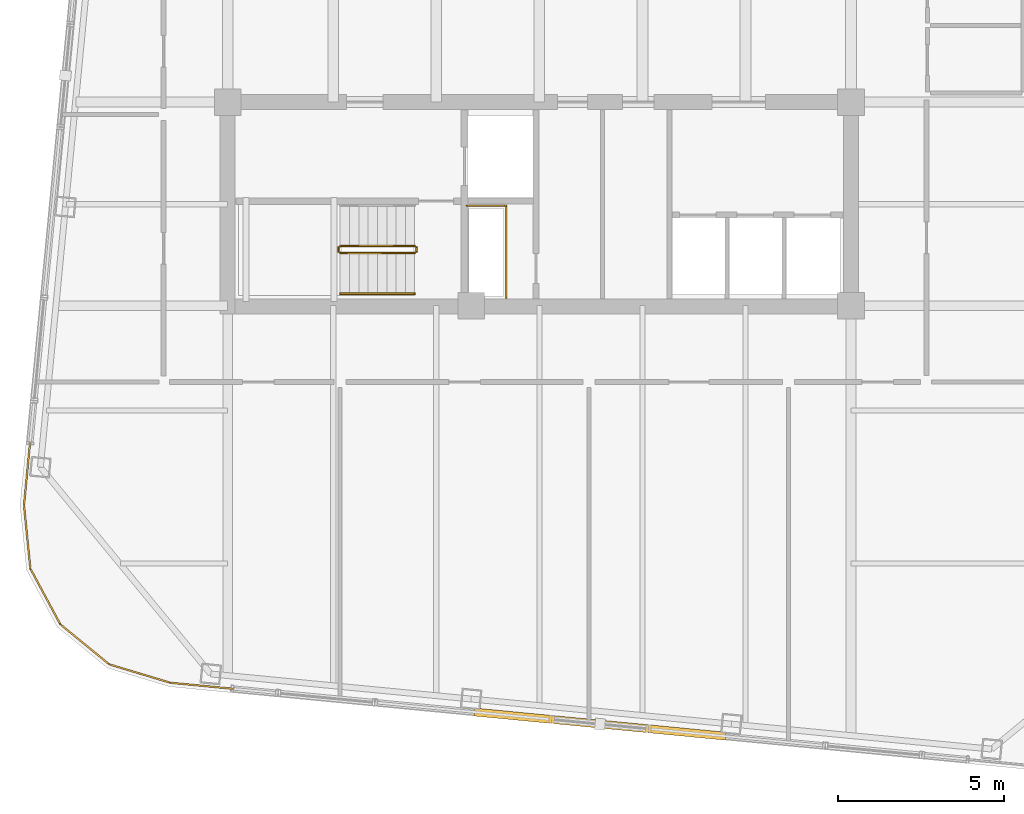
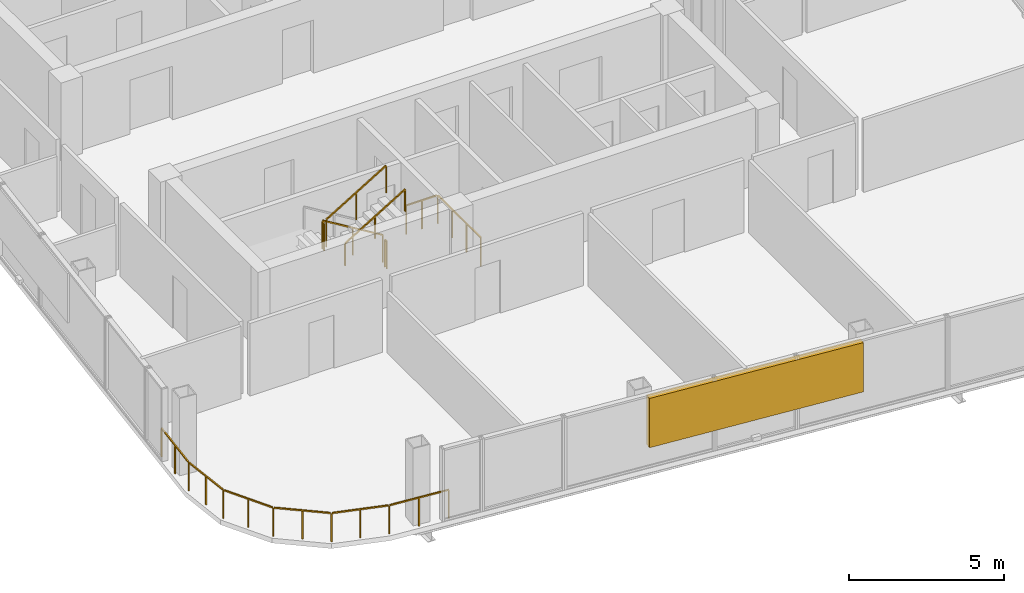
# One storey, part 20 of 23: 7 railings, 1 shading device.
"""IFC4 building model written with IfcOpenShell, lengths in metres."""

from ifc_helpers import new_model, si_unit, direction, frame, origin, origin_2d, place, context, subcontext, project, spatial, rectangle, extrude, material, type_object, element, save


model = new_model("IFC4")

# Units and contexts
model_context = context("Model", 3, precision=1e-05, world=origin(), true_north=direction((0.0, 1.0)))
body_context = subcontext(model_context, "Body", "Model", "MODEL_VIEW")
ifc_project = project(units=[si_unit("LENGTHUNIT", "METRE"), si_unit("AREAUNIT", "SQUARE_METRE"), si_unit("VOLUMEUNIT", "CUBIC_METRE"), si_unit("PLANEANGLEUNIT", "RADIAN"), si_unit("MASSUNIT", "GRAM", prefix="KILO")], contexts=[model_context])

# Site, building, storey
site_placement = place(None, origin())
site = spatial("IfcSite", under=ifc_project, at=site_placement, CompositionType="ELEMENT")
building_placement = place(site_placement, origin())
building = spatial("IfcBuilding", under=site, at=building_placement, Name="Qhalaya Broadcast Tower", CompositionType="ELEMENT")
storey_placement = place(building_placement, frame((0.0, 0.0, 261.14990234375)))
storey = spatial("IfcBuildingStorey", under=building, at=storey_placement, Name="L77", CompositionType="ELEMENT", Elevation=261.14990234375)

# Railings
ifc_material_1 = material(Name="Powder-Coated Galvanised Steel", Category="steel")
railing_type_1 = type_object("IfcRailingType", Name="Stair Wall Handrail 900", PredefinedType="HANDRAIL", material=ifc_material_1)
railing_1_placement = place(storey_placement, frame((-5.989990234375, -8.389892578125, 1.694580078125)))
element("IfcRailing", 1, at=railing_1_placement, inside=storey, type_object=railing_type_1, Name="L77 ST-2 Stair Handrail 2", PredefinedType="HANDRAIL", context=body_context, shape_type="SweptSolid", body=[
    extrude(rectangle(XDim=0.048095703125, YDim=0.048095703125, at=origin_2d()), frame((0.0, 0.0, 0.8759765625), z_axis=(0.855553338991, 0.0, 0.51771467445), x_axis=(0.0, 1.0, 0.0)), (0.0, 0.0, 1.0), 2.6181640625),
    extrude(rectangle(XDim=0.0419921875, YDim=0.0419921875, at=origin_2d()), origin(), (0.0, 0.0, 1.0), 0.849853515625),
    extrude(rectangle(XDim=0.0419921875, YDim=0.0419921875, at=origin_2d()), frame((1.1201171875, 0.0, 0.677734375)), (0.0, 0.0, 1.0), 0.849853515625),
    extrude(rectangle(XDim=0.0419921875, YDim=0.0419921875, at=origin_2d()), frame((2.239990234375, 0.0, 1.35546875)), (0.0, 0.0, 1.0), 0.849853515625),
])
railing_type_2 = type_object("IfcRailingType", Name="Stair Well & Landing Guardrail 1100", PredefinedType="GUARDRAIL", material=ifc_material_1)
railing_2_placement = place(storey_placement, frame((-1.0, -8.52001953125, 0.0)))
element("IfcRailing", 2, at=railing_2_placement, inside=storey, type_object=railing_type_2, Name="L77 Service Riser Opening Safety Guard SRSR", PredefinedType="GUARDRAIL", context=body_context, shape_type="SweptSolid", body=[
    extrude(rectangle(XDim=0.048095703125, YDim=0.048095703125, at=origin_2d()), frame((0.0, 0.0, 1.1259765625), z_axis=(0.0, 1.0, 0.0), x_axis=(-1.0, 0.0, 0.0)), (0.0, 0.0, 1.0), 2.751220703125),
    extrude(rectangle(XDim=0.048095703125, YDim=0.048095703125, at=origin_2d()), frame((-0.02880859375, 2.780029296875, 1.1259765625), z_axis=(-1.0, 0.0, 0.0), x_axis=(0.0, -1.0, 0.0)), (0.0, 0.0, 1.0), 1.151123046875),
    extrude(rectangle(XDim=0.0419921875, YDim=0.0419921875, at=origin_2d()), origin(), (0.0, 0.0, 1.0), 1.099853515625),
    extrude(rectangle(XDim=0.0419921875, YDim=0.0419921875, at=origin_2d()), frame((0.0, 0.9267578125, 0.0)), (0.0, 0.0, 1.0), 1.099853515625),
    extrude(rectangle(XDim=0.0419921875, YDim=0.0419921875, at=origin_2d()), frame((0.0, 1.853271484375, 0.0)), (0.0, 0.0, 1.0), 1.099853515625),
    extrude(rectangle(XDim=0.0419921875, YDim=0.0419921875, at=origin_2d()), frame((0.0, 2.780029296875, 0.0)), (0.0, 0.0, 1.0), 1.099853515625),
    extrude(rectangle(XDim=0.0419921875, YDim=0.0419921875, at=origin_2d()), frame((-0.58984375, 2.780029296875, 0.0)), (0.0, 0.0, 1.0), 1.099853515625),
    extrude(rectangle(XDim=0.0419921875, YDim=0.0419921875, at=origin_2d()), frame((-1.179931640625, 2.780029296875, 0.0)), (0.0, 0.0, 1.0), 1.099853515625),
])
railing_3_placement = place(storey_placement, frame((-3.75, -6.949951171875, 0.16943359375)))
element("IfcRailing", 3, at=railing_3_placement, inside=storey, type_object=railing_type_2, Name="L77 ST-2 Stair Guard 1", PredefinedType="GUARDRAIL", context=body_context, shape_type="SweptSolid", body=[
    extrude(rectangle(XDim=0.048095703125, YDim=0.048095703125, at=origin_2d()), frame((0.0, 0.0, 1.076171875), z_axis=(-0.855512035549, 0.0, 0.517782924622), x_axis=(0.0, -1.0, 0.0)), (0.0, 0.0, 1.0), 2.618408203125),
    extrude(rectangle(XDim=0.0419921875, YDim=0.0419921875, at=origin_2d()), origin(), (0.0, 0.0, 1.0), 1.050048828125),
    extrude(rectangle(XDim=0.0419921875, YDim=0.0419921875, at=origin_2d()), frame((-1.1201171875, 0.0, 0.677734375)), (0.0, 0.0, 1.0), 1.050048828125),
    extrude(rectangle(XDim=0.0419921875, YDim=0.0419921875, at=origin_2d()), frame((-2.239990234375, 0.0, 1.355712890625)), (0.0, 0.0, 1.0), 1.050048828125),
])
railing_4_placement = place(storey_placement, frame((-6.0400390625, -7.0, 1.525146484375)))
element("IfcRailing", 4, at=railing_4_placement, inside=storey, type_object=railing_type_2, Name="L77 ST-2 Stair Guard 2", PredefinedType="GUARDRAIL", context=body_context, shape_type="SweptSolid", body=[
    extrude(rectangle(XDim=0.048095703125, YDim=0.048095703125, at=origin_2d()), frame((0.0, 0.0, 1.076171875), z_axis=(0.0, -1.0, 0.0), x_axis=(1.0, 0.0, 0.0)), (0.0, 0.0, 1.0), 0.1201171875),
    extrude(rectangle(XDim=0.0419921875, YDim=0.0419921875, at=origin_2d()), origin(), (0.0, 0.0, 1.0), 1.050048828125),
    extrude(rectangle(XDim=0.0419921875, YDim=0.0419921875, at=origin_2d()), frame((0.0, -0.1201171875, 0.0)), (0.0, 0.0, 1.0), 1.050048828125),
])
railing_5_placement = place(storey_placement, frame((-5.989990234375, -7.169921875, 1.694580078125)))
element("IfcRailing", 5, at=railing_5_placement, inside=storey, type_object=railing_type_2, Name="L77 ST-2 Stair Guard 3", PredefinedType="GUARDRAIL", context=body_context, shape_type="SweptSolid", body=[
    extrude(rectangle(XDim=0.048095703125, YDim=0.048095703125, at=origin_2d()), frame((0.0, 0.0, 1.076171875), z_axis=(0.855553338991, 0.0, 0.51771467445), x_axis=(0.0, 1.0, 0.0)), (0.0, 0.0, 1.0), 2.6181640625),
    extrude(rectangle(XDim=0.0419921875, YDim=0.0419921875, at=origin_2d()), origin(), (0.0, 0.0, 1.0), 1.050048828125),
    extrude(rectangle(XDim=0.0419921875, YDim=0.0419921875, at=origin_2d()), frame((1.1201171875, 0.0, 0.677734375)), (0.0, 0.0, 1.0), 1.050048828125),
    extrude(rectangle(XDim=0.0419921875, YDim=0.0419921875, at=origin_2d()), frame((2.239990234375, 0.0, 1.35546875)), (0.0, 0.0, 1.0), 1.050048828125),
])
railing_6_placement = place(storey_placement, frame((-3.699951171875, -7.0, 0.0)))
element("IfcRailing", 6, at=railing_6_placement, inside=storey, type_object=railing_type_2, Name="L77 ST-2 Stair Guard 4", PredefinedType="GUARDRAIL", context=body_context, shape_type="SweptSolid", body=[
    extrude(rectangle(XDim=0.048095703125, YDim=0.048095703125, at=origin_2d()), frame((0.0, 0.0, 1.076171875), z_axis=(0.0, -1.0, 0.0), x_axis=(1.0, 0.0, 0.0)), (0.0, 0.0, 1.0), 0.1201171875),
    extrude(rectangle(XDim=0.0419921875, YDim=0.0419921875, at=origin_2d()), origin(), (0.0, 0.0, 1.0), 1.050048828125),
    extrude(rectangle(XDim=0.0419921875, YDim=0.0419921875, at=origin_2d()), frame((0.0, -0.1201171875, 0.0)), (0.0, 0.0, 1.0), 1.050048828125),
])
railing_type_3 = type_object("IfcRailingType", Name="Terrace, Sky-Pool & Lookout Glass Balustrade 1150", PredefinedType="BALUSTRADE", material=ifc_material_1)
railing_7_placement = place(storey_placement, frame((-8.99365234375, -20.2958984375, 0.0)))
element("IfcRailing", 7, at=railing_7_placement, inside=storey, type_object=railing_type_3, Name="L77 Rounded Corner Perimeter Guard 02", PredefinedType="BALUSTRADE", context=body_context, shape_type="SweptSolid", body=[
    extrude(rectangle(XDim=0.048095703125, YDim=0.048095703125, at=origin_2d()), frame((0.0, 0.0, 1.1259765625), z_axis=(-0.995391273094, 0.095896889673, 0.0), x_axis=(-0.095896889673, -0.995391273094, 0.0)), (0.0, 0.0, 1.0), 2.08935546875),
    extrude(rectangle(XDim=0.048095703125, YDim=0.048095703125, at=origin_2d()), frame((-2.135986328125, 0.21142578125, 1.1259765625), z_axis=(-0.957601447485, 0.288096282124, 0.0), x_axis=(-0.288096282124, -0.957601447485, 0.0)), (0.0, 0.0, 1.0), 1.857421875),
    extrude(rectangle(XDim=0.048095703125, YDim=0.048095703125, at=origin_2d()), frame((-3.96484375, 0.773193359375, 1.1259765625), z_axis=(-0.774357190213, 0.63274871945, 0.0), x_axis=(-0.63274871945, -0.774357190213, 0.0)), (0.0, 0.0, 1.0), 1.845703125),
    extrude(rectangle(XDim=0.048095703125, YDim=0.048095703125, at=origin_2d()), frame((-5.429931640625, 1.984619140625, 1.1259765625), z_axis=(-0.473342342286, 0.880878554058, 0.0), x_axis=(-0.880878554058, -0.473342342286, 0.0)), (0.0, 0.0, 1.0), 1.845458984375),
    extrude(rectangle(XDim=0.048095703125, YDim=0.048095703125, at=origin_2d()), frame((-6.320068359375, 3.66455078125, 1.1259765625), z_axis=(-0.100071682341, 0.994980230152, 0.0), x_axis=(-0.994980230152, -0.100071682341, 0.0)), (0.0, 0.0, 1.0), 1.857421875),
    extrude(rectangle(XDim=0.048095703125, YDim=0.048095703125, at=origin_2d()), frame((-6.506103515625, 5.570068359375, 1.1259765625), z_axis=(0.095782687057, 0.995402268864, 0.0), x_axis=(-0.995402268864, 0.095782687057, 0.0)), (0.0, 0.0, 1.0), 2.08935546875),
    extrude(rectangle(XDim=0.0419921875, YDim=0.0419921875, at=origin_2d()), origin(), (0.0, 0.0, 1.0), 1.099853515625),
    extrude(rectangle(XDim=0.0419921875, YDim=0.0419921875, at=origin_2d()), frame((-1.05419921875, 0.1015625, 0.0)), (0.0, 0.0, 1.0), 1.099853515625),
    extrude(rectangle(XDim=0.0419921875, YDim=0.0419921875, at=origin_2d()), frame((-2.1083984375, 0.203125, 0.0)), (0.0, 0.0, 1.0), 1.099853515625),
    extrude(rectangle(XDim=0.0419921875, YDim=0.0419921875, at=origin_2d()), frame((-3.025390625, 0.47900390625, 0.0)), (0.0, 0.0, 1.0), 1.099853515625),
    extrude(rectangle(XDim=0.0419921875, YDim=0.0419921875, at=origin_2d()), frame((-3.9423828125, 0.7548828125, 0.0)), (0.0, 0.0, 1.0), 1.099853515625),
    extrude(rectangle(XDim=0.0419921875, YDim=0.0419921875, at=origin_2d()), frame((-4.67919921875, 1.35693359375, 0.0)), (0.0, 0.0, 1.0), 1.099853515625),
    extrude(rectangle(XDim=0.0419921875, YDim=0.0419921875, at=origin_2d()), frame((-5.416259765625, 1.959228515625, 0.0)), (0.0, 0.0, 1.0), 1.099853515625),
    extrude(rectangle(XDim=0.0419921875, YDim=0.0419921875, at=origin_2d()), frame((-5.86669921875, 2.79736328125, 0.0)), (0.0, 0.0, 1.0), 1.099853515625),
    extrude(rectangle(XDim=0.0419921875, YDim=0.0419921875, at=origin_2d()), frame((-6.317138671875, 3.6357421875, 0.0)), (0.0, 0.0, 1.0), 1.099853515625),
    extrude(rectangle(XDim=0.0419921875, YDim=0.0419921875, at=origin_2d()), frame((-6.4130859375, 4.58837890625, 0.0)), (0.0, 0.0, 1.0), 1.099853515625),
    extrude(rectangle(XDim=0.0419921875, YDim=0.0419921875, at=origin_2d()), frame((-6.5087890625, 5.541259765625, 0.0)), (0.0, 0.0, 1.0), 1.099853515625),
    extrude(rectangle(XDim=0.0419921875, YDim=0.0419921875, at=origin_2d()), frame((-6.4072265625, 6.595458984375, 0.0)), (0.0, 0.0, 1.0), 1.099853515625),
    extrude(rectangle(XDim=0.0419921875, YDim=0.0419921875, at=origin_2d()), frame((-6.305908203125, 7.649658203125, 0.0)), (0.0, 0.0, 1.0), 1.099853515625),
])

# Shading device
ifc_material_2 = material(Name="Fired Architectural Terracotta", Category="masonry")
shading_device_type = type_object("IfcShadingDeviceType", Name="Terracotta Baguette Solar Screen Assembly TBS-01", PredefinedType="USERDEFINED", material=ifc_material_2)
shading_device_placement = place(storey_placement, frame((1.826171875, -21.337646484375, 0.80078125), z_axis=(0.0, 0.0, 1.0), x_axis=(0.995396198367, -0.09584575252, 0.0)))
element("IfcShadingDevice", 8, at=shading_device_placement, inside=storey, type_object=shading_device_type, Name="L77 Fired Terracotta Baguette Screen S", ObjectType="BAGUETTE", PredefinedType="USERDEFINED", context=body_context, shape_type="SweptSolid", body=[
    extrude(rectangle(XDim=7.60009765625, YDim=0.239990234375, at=origin_2d()), origin(), (0.0, 0.0, 1.0), 1.945068359375),
])

save(model, "model.ifc")
